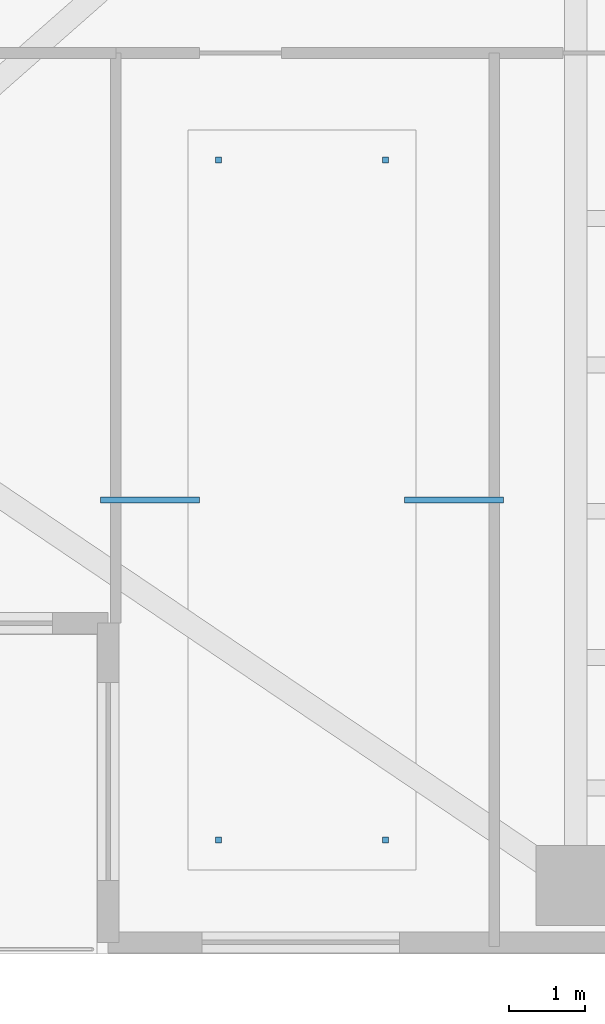
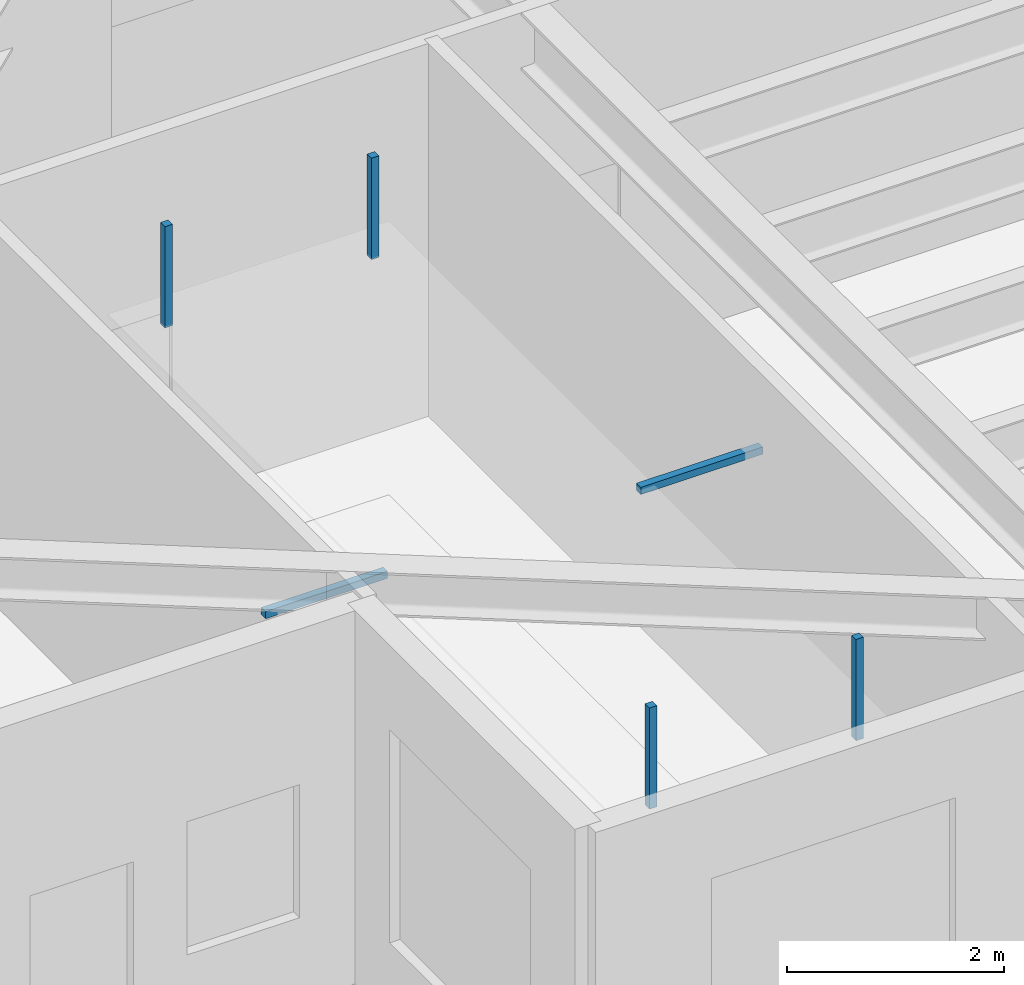
# One storey, part 31 of 38: 6 discrete accessories.
"""IFC4 building model written with IfcOpenShell, lengths in metres."""

from ifc_helpers import new_model, si_unit, direction, frame, origin, origin_2d, place, context, subcontext, project, spatial, rectangle, extrude, material, type_object, element, save


model = new_model("IFC4")

# Units and contexts
model_context = context("Model", 3, precision=1e-05, world=origin(), true_north=direction((0.0, 1.0)))
body_context = subcontext(model_context, "Body", "Model", "MODEL_VIEW")
ifc_project = project(units=[si_unit("LENGTHUNIT", "METRE"), si_unit("AREAUNIT", "SQUARE_METRE"), si_unit("VOLUMEUNIT", "CUBIC_METRE"), si_unit("PLANEANGLEUNIT", "RADIAN"), si_unit("MASSUNIT", "GRAM", prefix="KILO")], contexts=[model_context])

# Site, building, storey
site_placement = place(None, origin())
site = spatial("IfcSite", under=ifc_project, at=site_placement, CompositionType="ELEMENT")
building_placement = place(site_placement, origin())
building = spatial("IfcBuilding", under=site, at=building_placement, Name="Tarnavaz Court Tower", CompositionType="ELEMENT")
storey_placement = place(building_placement, frame((0.0, 0.0, 123.0)))
storey = spatial("IfcBuildingStorey", under=building, at=storey_placement, Name="L33", CompositionType="ELEMENT", Elevation=123.0)

# Discrete accessories
ifc_material = material(Name="Anodised Aluminium 6063-T6", Category="aluminium")
discrete_accessory_type = type_object("IfcDiscreteAccessoryType", Name="DA-BRKT-ALU", PredefinedType="BRACKET", material=ifc_material)
for number, where, z_axis, x_axis, name in (
    (1, (-19.699951171875, -20.699951171875, 3.08984375), (0.0, 0.0, 1.0), (1.0, 0.0, 0.0), "L33 Ceiling Suspension Hanger Bracket 04-1"),
    (2, (-17.5, -20.699951171875, 3.08984375), (0.0, 0.0, 1.0), (1.0, 0.0, 0.0), "L33 Ceiling Suspension Hanger Bracket 04-2"),
    (3, (-17.5, -11.760009765625, 3.08984375), (0.0, 0.0, 1.0), (1.0, 0.0, 0.0), "L33 Ceiling Suspension Hanger Bracket 04-3"),
    (4, (-19.699951171875, -11.760009765625, 3.08984375), (0.0, 0.0, 1.0), (1.0, 0.0, 0.0), "L33 Ceiling Suspension Hanger Bracket 04-4"),
):
    element("IfcDiscreteAccessory", number, at=place(storey_placement, frame(where, z_axis=z_axis, x_axis=x_axis)), inside=storey, type_object=discrete_accessory_type, Name=name, PredefinedType="BRACKET", context=body_context, shape_type="SweptSolid", body=[
        extrude(rectangle(XDim=0.080078125, YDim=0.080078125, at=origin_2d()), origin(), (0.0, 0.0, 1.0), 1.139892578125),
    ])
for number, where, z_axis, x_axis, name in (
    (5, (-20.60009765625, -16.22998046875, 3.052490234375), (0.0, 0.0, 1.0), (1.0, 0.0, 0.0), "L33 Ceiling Perimeter Wall-Tie Bracket 04-1"),
    (6, (-16.60009765625, -16.22998046875, 3.052490234375), (0.0, 0.0, 1.0), (1.0, 0.0, 0.0), "L33 Ceiling Perimeter Wall-Tie Bracket 04-2"),
):
    element("IfcDiscreteAccessory", number, at=place(storey_placement, frame(where, z_axis=z_axis, x_axis=x_axis)), inside=storey, type_object=discrete_accessory_type, Name=name, PredefinedType="BRACKET", context=body_context, shape_type="SweptSolid", body=[
        extrude(rectangle(XDim=1.300048828125, YDim=0.080078125, at=origin_2d()), origin(), (0.0, 0.0, 1.0), 0.080078125),
    ])

save(model, "model.ifc")
